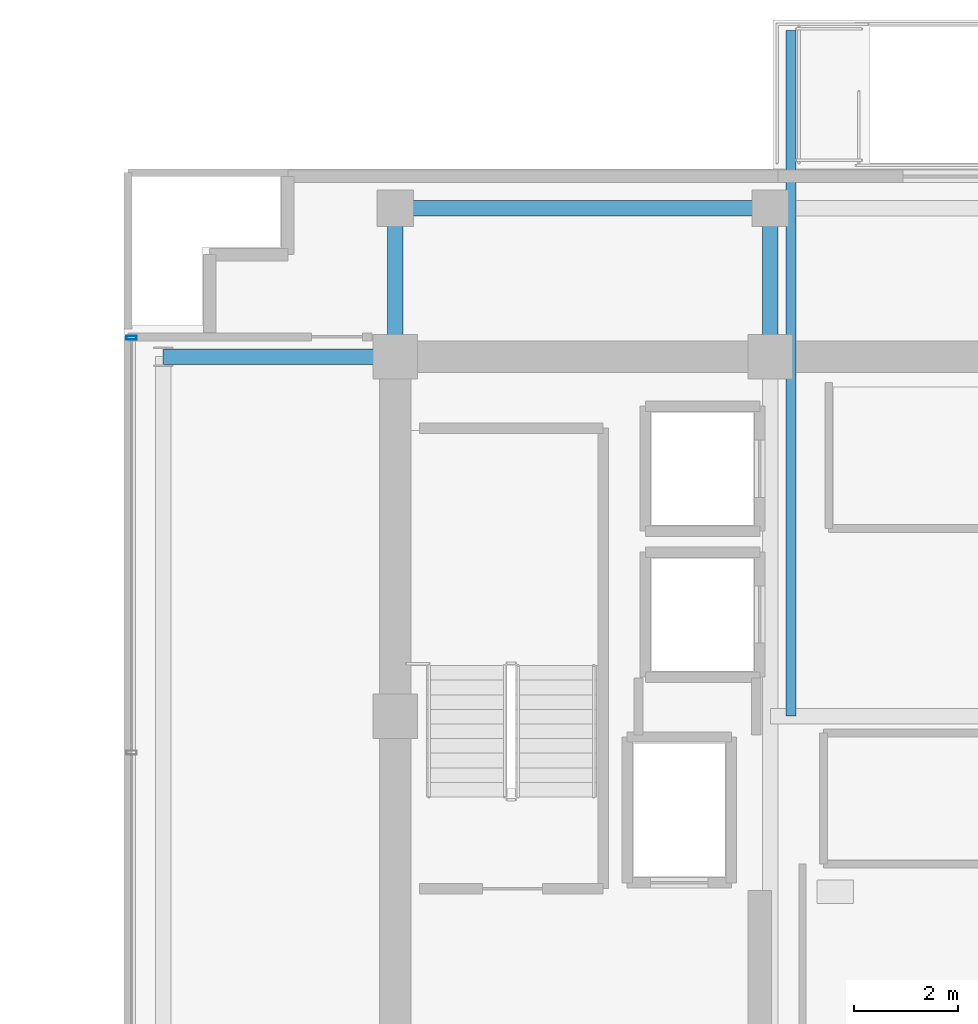
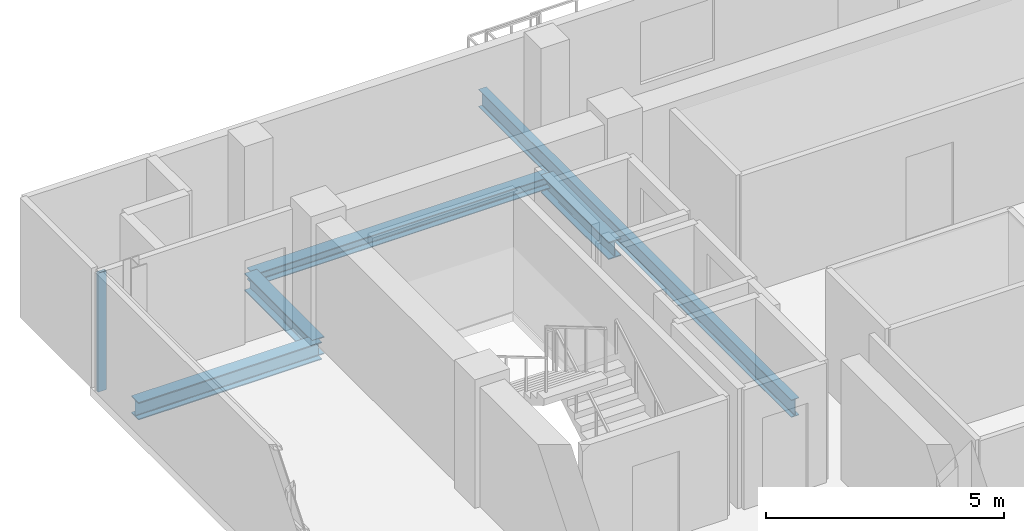
# One storey, part 11 of 24: 5 beams, 1 member, 1 element without a shape of its own.
"""IFC4 building model written with IfcOpenShell, lengths in metres."""

import ifcopenshell
import ifcopenshell.guid

model = None  # the IFC model being written
_history = None  # IfcOwnerHistory: only IFC2X3 demands one
_inside = {}  # id of a spatial element -> (the spatial element, [elements in it])
_under = {}  # id of a project, library or spatial element -> (it, [spatial elements below it])
_declared = {}  # id of a project -> (the project, [libraries it declares])
_typed = {}  # id of a type object -> (the type object, [elements of that type])
_made_of = {}  # id of a material, layer set ... -> (it, [elements and type objects made of it])


def new_model(schema):
    """Start an empty IFC model of exactly this schema.

    Asked for "IFC4X3", IfcOpenShell would pick the latest addendum, in which some entities
    have other attributes; the version numbers below select the first issue.
    IFC2X3 requires an IfcOwnerHistory on every rooted entity: one is made here for all.
    """
    global model, _history
    if schema == "IFC4X3":
        model = ifcopenshell.file(schema_version=(4, 3, 0, 0))
    else:
        model = ifcopenshell.file(schema=schema)
    _inside.clear()
    _under.clear()
    _declared.clear()
    _typed.clear()
    _made_of.clear()
    _history = None
    if model.schema == "IFC2X3":
        org = make("IfcOrganization", Name="unknown")
        user = make(
            "IfcPersonAndOrganization",
            ThePerson=make("IfcPerson", FamilyName="unknown"),
            TheOrganization=org,
        )
        app = make(
            "IfcApplication",
            ApplicationDeveloper=org,
            Version="unknown",
            ApplicationFullName="unknown",
            ApplicationIdentifier="unknown",
        )
        _history = make(
            "IfcOwnerHistory",
            OwningUser=user,
            OwningApplication=app,
            ChangeAction="ADDED",
            CreationDate=0,
        )
    return model


def make(cls, **values):
    """One entity of the class cls with the attributes given. An attribute that is None is left unset."""
    return model.create_entity(
        cls, **{name: value for name, value in values.items() if value is not None}
    )


def rooted(cls, **values):
    """An entity with a GlobalId (a new one), such as an element, a storey or a relation."""
    return make(cls, GlobalId=ifcopenshell.guid.new(), OwnerHistory=_history, **values)


def si_unit(unit_type, name, prefix=None):
    """IfcSIUnit, for example si_unit("LENGTHUNIT", "METRE", prefix="MILLI")."""
    return make("IfcSIUnit", UnitType=unit_type, Prefix=prefix, Name=name)


def assignment(units):
    """IfcUnitAssignment: the units of a project."""
    return None if units is None else make("IfcUnitAssignment", Units=units)


def point(xyz):
    """IfcCartesianPoint."""
    return None if xyz is None else make("IfcCartesianPoint", Coordinates=xyz)


def direction(xyz):
    """IfcDirection."""
    return None if xyz is None else make("IfcDirection", DirectionRatios=xyz)


def frame(location, z_axis=None, x_axis=None):
    """IfcAxis2Placement3D, a coordinate frame: its origin and axes. An axis left out is left unset."""
    return make(
        "IfcAxis2Placement3D",
        Location=point(location),
        Axis=direction(z_axis),
        RefDirection=direction(x_axis),
    )


def frame_2d(location, x_axis=None):
    """IfcAxis2Placement2D, a coordinate frame in the plane: its origin and x axis."""
    return make(
        "IfcAxis2Placement2D", Location=point(location), RefDirection=direction(x_axis)
    )


def origin():
    """The frame at (0, 0, 0) with its axes left unset."""
    return frame((0.0, 0.0, 0.0))


def origin_2d():
    """The frame at (0, 0) in the plane with its x axis left unset."""
    return frame_2d((0.0, 0.0))


def place(relative_to, where):
    """IfcLocalPlacement: puts the frame where relative to a parent placement (None: the world)."""
    return make(
        "IfcLocalPlacement", PlacementRelTo=relative_to, RelativePlacement=where
    )


def context(
    kind, dimensions, precision=None, world=None, true_north=None, identifier=None
):
    """IfcGeometricRepresentationContext, for example the 3D "Model" context."""
    return make(
        "IfcGeometricRepresentationContext",
        ContextIdentifier=identifier,
        ContextType=kind,
        CoordinateSpaceDimension=dimensions,
        Precision=precision,
        WorldCoordinateSystem=world,
        TrueNorth=true_north,
    )


def subcontext(parent, identifier, kind, view, scale=None):
    """IfcGeometricRepresentationSubContext, for example "Body" below "Model"."""
    return make(
        "IfcGeometricRepresentationSubContext",
        ContextIdentifier=identifier,
        ContextType=kind,
        ParentContext=parent,
        TargetScale=scale,
        TargetView=view,
    )


def project(units=None, contexts=None):
    """IfcProject with its units and contexts."""
    return rooted(
        "IfcProject",
        Name="project",
        RepresentationContexts=contexts,
        UnitsInContext=assignment(units),
    )


def spatial(cls, under=None, at=None, **own):
    """A site, building, storey or space (cls), placed at a placement, below another one or the project."""
    s = rooted(cls, ObjectPlacement=at, **own)
    if under is not None:
        _under.setdefault(under.id(), (under, []))[1].append(s)
    return s


def profile(cls, at=None, kind="AREA", **sizes):
    """A parametric profile (cls). Its sizes go by their IFC names, for example OverallWidth=200.0."""
    return make(cls, ProfileType=kind, Position=at, **sizes)


def hollow_rectangle(**sizes):
    """IfcRectangleHollowProfileDef."""
    return profile("IfcRectangleHollowProfileDef", **sizes)


def i_section(**sizes):
    """IfcIShapeProfileDef."""
    return profile("IfcIShapeProfileDef", **sizes)


def extrude(swept, where, along, depth):
    """IfcExtrudedAreaSolid: the profile swept, set in the frame where, extruded along a direction by depth."""
    return make(
        "IfcExtrudedAreaSolid",
        SweptArea=swept,
        Position=where,
        ExtrudedDirection=direction(along),
        Depth=depth,
    )


def shape(context_of_items, identifier, shape_type, items):
    """IfcShapeRepresentation: the items that make up one representation, for example the "Body"."""
    return make(
        "IfcShapeRepresentation",
        ContextOfItems=context_of_items,
        RepresentationIdentifier=identifier,
        RepresentationType=shape_type,
        Items=items,
    )


def source(mapping_origin, context_of_items, identifier, shape_type, items):
    """IfcRepresentationMap: a shape defined once, which mapped items show again and again."""
    return make(
        "IfcRepresentationMap",
        MappingOrigin=mapping_origin,
        MappedRepresentation=shape(context_of_items, identifier, shape_type, items),
    )


def transform(
    local_origin,
    x_axis=None,
    y_axis=None,
    z_axis=None,
    scale=None,
    scale2=None,
    scale3=None,
    uniform=True,
):
    """IfcCartesianTransformationOperator3D, or its non-uniform kind. x_axis, y_axis, z_axis: its Axis1, 2, 3."""
    if uniform:
        return make(
            "IfcCartesianTransformationOperator3D",
            Axis1=direction(x_axis),
            Axis2=direction(y_axis),
            LocalOrigin=point(local_origin),
            Scale=scale,
            Axis3=direction(z_axis),
        )
    return make(
        "IfcCartesianTransformationOperator3DnonUniform",
        Axis1=direction(x_axis),
        Axis2=direction(y_axis),
        LocalOrigin=point(local_origin),
        Scale=scale,
        Axis3=direction(z_axis),
        Scale2=scale2,
        Scale3=scale3,
    )


def mapped(mapping_source, mapping_target):
    """IfcMappedItem: shows the shape of a source again, moved by a transform."""
    return make(
        "IfcMappedItem", MappingSource=mapping_source, MappingTarget=mapping_target
    )


def material(Name=None, Category=None):
    """IfcMaterial."""
    return make("IfcMaterial", Name=Name, Category=Category)


def layer(
    of_material, thickness, ventilated=None, Name=None, Category=None, Priority=None
):
    """IfcMaterialLayer: one layer of a wall or slab, of a material (None: an air gap)."""
    return make(
        "IfcMaterialLayer",
        Material=of_material,
        LayerThickness=thickness,
        IsVentilated=ventilated,
        Name=Name,
        Category=Category,
        Priority=Priority,
    )


def layer_set(layers, Name=None):
    """IfcMaterialLayerSet."""
    return make("IfcMaterialLayerSet", MaterialLayers=layers, LayerSetName=Name)


def material_profile(
    of_material, cross_section, Name=None, Category=None, Priority=None
):
    """IfcMaterialProfile: a cross section and its material."""
    return make(
        "IfcMaterialProfile",
        Name=Name,
        Material=of_material,
        Profile=cross_section,
        Priority=Priority,
        Category=Category,
    )


def profile_set(profiles, Name=None, composite=None):
    """IfcMaterialProfileSet."""
    return make(
        "IfcMaterialProfileSet",
        Name=Name,
        MaterialProfiles=profiles,
        CompositeProfile=composite,
    )


def made_of(thing, what):
    """Note that an element or type object is made of a material, layer set ...; save() writes the relation."""
    if what is not None:
        _made_of.setdefault(what.id(), (what, []))[1].append(thing)
    return thing


def type_object(cls, material=None, **own):
    """A type object (cls), such as IfcWallType, which elements share."""
    return made_of(rooted(cls, **own), material)


def element(
    cls,
    number,
    at=None,
    inside=None,
    cuts=None,
    type_object=None,
    material=None,
    context=None,
    identifier="Body",
    shape_type=None,
    held_by="IfcProductDefinitionShape",
    body=None,
    shapes=None,
    **own,
):
    """One element of the class cls, such as IfcWall. Its Tag is "e" and its number.

    at: its placement. inside: the storey or other place that contains it. cuts: it is an
    opening in that element (IfcRelVoidsElement). A single representation is given by context,
    identifier, shape_type and body (its items); several are given by shapes. held_by: the class
    of the entity that holds the representations. save() writes the other relations.
    """
    e = rooted(cls, Tag="e%d" % number, ObjectPlacement=at, **own)
    if body is not None:
        shapes = [shape(context, identifier, shape_type, body)]
    if shapes is not None:
        e.Representation = make(held_by, Representations=shapes)
    if inside is not None:
        _inside.setdefault(inside.id(), (inside, []))[1].append(e)
    if cuts is not None:
        rooted(
            "IfcRelVoidsElement", RelatingBuildingElement=cuts, RelatedOpeningElement=e
        )
    if type_object is not None:
        _typed.setdefault(type_object.id(), (type_object, []))[1].append(e)
    return made_of(e, material)


def aggregate(whole, parts):
    """IfcRelAggregates: a whole, such as a stair, and the parts it consists of."""
    return rooted("IfcRelAggregates", RelatingObject=whole, RelatedObjects=parts)


def save(model, path):
    """Write the relations noted so far, then the file.

    IfcRelAggregates (storeys below a building ...), IfcRelContainedInSpatialStructure (elements
    in a storey), IfcRelDefinesByType, IfcRelAssociatesMaterial and IfcRelDeclares: one each for
    every whole, place, type object, material and project.
    """
    for whole, parts in _under.values():
        aggregate(whole, parts)
    for where, things in _inside.values():
        rooted(
            "IfcRelContainedInSpatialStructure",
            RelatedElements=things,
            RelatingStructure=where,
        )
    for kind, things in _typed.values():
        rooted("IfcRelDefinesByType", RelatedObjects=things, RelatingType=kind)
    for what, things in _made_of.values():
        rooted("IfcRelAssociatesMaterial", RelatedObjects=things, RelatingMaterial=what)
    for by, libraries in _declared.values():
        rooted("IfcRelDeclares", RelatingContext=by, RelatedDefinitions=libraries)
    model.write(path)


model = new_model("IFC4")

# Units and contexts
model_context = context("Model", 3, precision=1e-05, world=origin(), true_north=direction((0.0, 1.0)))
body_context = subcontext(model_context, "Body", "Model", "MODEL_VIEW")
ifc_project = project(units=[si_unit("LENGTHUNIT", "METRE"), si_unit("AREAUNIT", "SQUARE_METRE"), si_unit("VOLUMEUNIT", "CUBIC_METRE"), si_unit("PLANEANGLEUNIT", "RADIAN"), si_unit("MASSUNIT", "GRAM", prefix="KILO")], contexts=[model_context])

# Site, building, storey
site_placement = place(None, origin())
site = spatial("IfcSite", under=ifc_project, at=site_placement, CompositionType="ELEMENT")
building_placement = place(site_placement, origin())
building = spatial("IfcBuilding", under=site, at=building_placement, Name="Zarnakvel Exchange Tower", CompositionType="ELEMENT")
storey_placement = place(building_placement, frame((0.0, 0.0, 235.300048828125)))
storey = spatial("IfcBuildingStorey", under=building, at=storey_placement, Name="L66", CompositionType="ELEMENT", Elevation=235.300048828125)

# Beams
ifc_material_1 = material(Name="Steel S355", Category="steel")
ifc_material_profile_1 = material_profile(ifc_material_1, i_section(OverallWidth=0.18994140625, OverallDepth=0.449951171875, WebThickness=0.009521484375, FlangeThickness=0.0146484375, FilletRadius=0.02099609375, at=origin_2d()))
ifc_profile_set_1 = profile_set([ifc_material_profile_1], Name="Steel S355")
beam_type_1 = type_object("IfcBeamType", Name="B-05", PredefinedType="JOIST", material=ifc_profile_set_1)
beam_1_placement = place(storey_placement, frame((-6.800048828125, 6.60009765625, -0.47509765625), z_axis=(0.0, 1.0, 0.0), x_axis=(-1.0, 0.0, 0.0)))
element("IfcBeam", 1, at=beam_1_placement, inside=storey, type_object=beam_type_1, Name="L66 Continuous North Spiral Terrace Beam W", PredefinedType="JOIST", context=body_context, shape_type="SweptSolid", body=[
    extrude(i_section(OverallWidth=0.18994140625, OverallDepth=0.449951171875, WebThickness=0.009521484375, FlangeThickness=0.0146484375, FilletRadius=0.02099609375, at=origin_2d()), origin(), (0.0, 0.0, 1.0), 13.159912109375),
])
ifc_material_profile_2 = material_profile(ifc_material_1, i_section(OverallWidth=0.300048828125, OverallDepth=0.449951171875, WebThickness=0.013916015625, FlangeThickness=0.02587890625, FilletRadius=0.027099609375, at=origin_2d()))
ifc_profile_set_2 = profile_set([ifc_material_profile_2], Name="Steel S355")
beam_type_2 = type_object("IfcBeamType", Name="G-07", PredefinedType="BEAM", material=ifc_profile_set_2)
beam_2_placement = place(storey_placement, frame((-18.85009765625, 13.5, -0.449951171875), z_axis=(1.0, 0.0, 0.0), x_axis=(0.0, 1.0, 0.0)))
element("IfcBeam", 2, at=beam_2_placement, inside=storey, type_object=beam_type_2, Name="L66 Tower E-W Frame Beam", PredefinedType="BEAM", context=body_context, shape_type="SweptSolid", body=[
    extrude(i_section(OverallWidth=0.300048828125, OverallDepth=0.449951171875, WebThickness=0.013916015625, FlangeThickness=0.02587890625, FilletRadius=0.027099609375, at=origin_2d()), origin(), (0.0, 0.0, 1.0), 4.4501953125),
])
for number, where, z_axis, x_axis, name in (
    (3, (-14.39990234375, 13.5, -0.449951171875), (0.0, 1.0, 0.0), (-1.0, 0.0, 0.0), "L66 Tower N-S Frame Beam"),
    (4, (-7.199951171875, 13.5, -0.449951171875), (0.0, 1.0, 0.0), (-1.0, 0.0, 0.0), "L66 Tower N-S Frame Beam"),
):
    element("IfcBeam", number, at=place(storey_placement, frame(where, z_axis=z_axis, x_axis=x_axis)), inside=storey, type_object=beam_type_2, Name=name, PredefinedType="BEAM", context=body_context, shape_type="SweptSolid", body=[
        extrude(i_section(OverallWidth=0.300048828125, OverallDepth=0.449951171875, WebThickness=0.013916015625, FlangeThickness=0.02587890625, FilletRadius=0.027099609375, at=origin_2d()), origin(), (0.0, 0.0, 1.0), 2.85009765625),
    ])
ifc_material_profile_3 = material_profile(ifc_material_1, i_section(OverallWidth=0.300048828125, OverallDepth=0.300048828125, WebThickness=0.010986328125, FlangeThickness=0.01904296875, FilletRadius=0.027099609375, at=origin_2d()))
ifc_profile_set_3 = profile_set([ifc_material_profile_3], Name="Steel S355")
beam_type_3 = type_object("IfcBeamType", Name="SP-03", PredefinedType="SPANDREL", material=ifc_profile_set_3)
beam_3_placement = place(storey_placement, frame((-14.39990234375, 16.35009765625, -0.375), z_axis=(1.0, 0.0, 0.0), x_axis=(0.0, 1.0, 0.0)))
element("IfcBeam", 5, at=beam_3_placement, inside=storey, type_object=beam_type_3, Name="L66 Tower E-W Frame Beam", PredefinedType="SPANDREL", context=body_context, shape_type="SweptSolid", body=[
    extrude(i_section(OverallWidth=0.300048828125, OverallDepth=0.300048828125, WebThickness=0.010986328125, FlangeThickness=0.01904296875, FilletRadius=0.027099609375, at=origin_2d()), origin(), (0.0, 0.0, 1.0), 7.199951171875),
])

# Curtain wall, member
ifc_material_2 = material(Name="Architectural Bronze Anodised Aluminium", Category="aluminium")
ifc_layer = layer(ifc_material_2, 0.199951171875)
ifc_layer_set = layer_set([ifc_layer], Name="Architectural Bronze Anodised Aluminium")
curtain_wall_type = type_object("IfcCurtainWallType", Name="CW-04", PredefinedType="NOTDEFINED", material=ifc_layer_set)
curtain_wall_placement = place(storey_placement, origin())
curtain_wall = element("IfcCurtainWall", 6, at=curtain_wall_placement, inside=storey, type_object=curtain_wall_type, Name="L66 Curtain Wall CW-L66-WN (CW-04)", PredefinedType="NOTDEFINED")
ifc_material_profile_4 = material_profile(ifc_material_2, hollow_rectangle(XDim=0.199951171875, YDim=0.074951171875, WallThickness=0.0048828125, at=origin_2d()))
ifc_profile_set_4 = profile_set([ifc_material_profile_4], Name="Architectural Bronze Anodised Aluminium")
member_type = type_object("IfcMemberType", Name="CWM-04", PredefinedType="MULLION", material=ifc_profile_set_4)
shared_shape = source(origin(), body_context, "Body", "SweptSolid", [
    extrude(hollow_rectangle(XDim=0.199951171875, YDim=0.074951171875, WallThickness=0.0048828125, at=origin_2d()), origin(), (0.0, 0.0, 1.0), 3.054931640625),
])
member_placement = place(storey_placement, frame((-19.4599609375, 13.862548828125, 0.0), z_axis=(0.0, 0.0, 1.0), x_axis=(-1.0, 0.0, 0.0)))
member = element("IfcMember", 7, at=member_placement, type_object=member_type, Name="CW-04 mullion 3", PredefinedType="MULLION", context=body_context, shape_type="MappedRepresentation", body=[
    mapped(shared_shape, transform((0.0, 0.0, 0.0), x_axis=(1.0, 0.0, 0.0), y_axis=(0.0, 1.0, 0.0), z_axis=(0.0, 0.0, 1.0), scale=1.0)),
])
aggregate(curtain_wall, [member])

save(model, "model.ifc")
